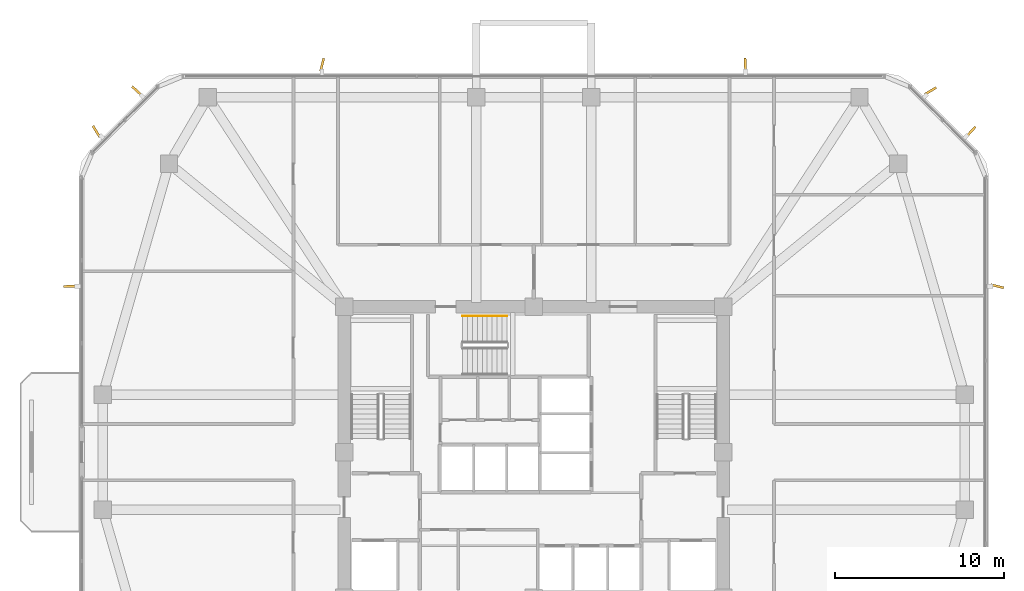
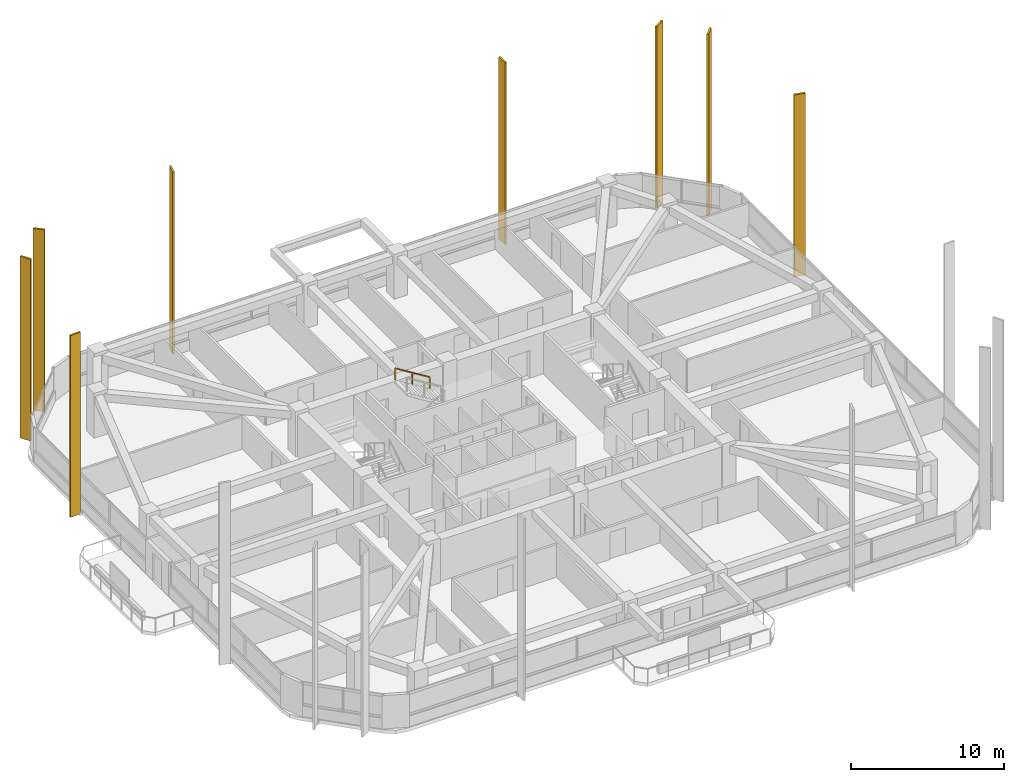
# One storey, part 15 of 15: 8 shading devices, 1 railing.
"""IFC4 building model written with IfcOpenShell, lengths in metres."""

from ifc_helpers import new_model, si_unit, derived_unit, direction, frame, origin, origin_2d, place, context, subcontext, project, spatial, rectangle, extrude, material, type_object, element, save


model = new_model("IFC4")

# Units and contexts
model_context = context("Model", 3, precision=1e-05, world=origin(), true_north=direction((0.0, 1.0)))
body_context = subcontext(model_context, "Body", "Model", "MODEL_VIEW")
ifc_project = project(units=[si_unit("LENGTHUNIT", "METRE"), si_unit("AREAUNIT", "SQUARE_METRE"), si_unit("VOLUMEUNIT", "CUBIC_METRE"), si_unit("PLANEANGLEUNIT", "RADIAN"), si_unit("MASSUNIT", "GRAM", prefix="KILO"), derived_unit("THERMALTRANSMITTANCEUNIT", [(si_unit("POWERUNIT", "WATT"), 1), (si_unit("LENGTHUNIT", "METRE"), -2), (si_unit("THERMODYNAMICTEMPERATUREUNIT", "KELVIN"), -1)])], contexts=[model_context])

# Site, building, storey
site_placement = place(None, origin())
site = spatial("IfcSite", under=ifc_project, at=site_placement, CompositionType="ELEMENT")
building_placement = place(site_placement, origin())
building = spatial("IfcBuilding", under=site, at=building_placement, Name="Koralith Skygarden Medical Center", CompositionType="ELEMENT")
storey_placement = place(building_placement, frame((0.0, 0.0, 84.780029296875)))
storey = spatial("IfcBuildingStorey", under=building, at=storey_placement, Name="L21", CompositionType="ELEMENT", Elevation=84.780029296875)

# Shading devices
ifc_material_1 = material(Name="Aluminium 6063-T6", Category="aluminium")
shading_device_type = type_object("IfcShadingDeviceType", Name="Limestone-Clad Solar Storm Fin 780", PredefinedType="USERDEFINED", material=ifc_material_1)
for number, where, z_axis, x_axis, name in (
    (1, (64.409912109375, 35.7099609375, -0.2001953125), (0.0, 0.0, 1.0), (0.971271504235, -0.237974084853, 0.0), "L21 E Harmonic Solar Storm Fin 2"),
    (2, (62.860107421875, 44.862060546875, -0.2001953125), (0.0, 0.0, 1.0), (0.675204077514, 0.737630973935, 0.0), "L21 NE Harmonic Solar Storm Fin 1"),
    (3, (60.4619140625, 47.260009765625, -0.2001953125), (0.0, 0.0, 1.0), (0.855065756164, 0.518519577871, 0.0), "L21 NE Harmonic Solar Storm Fin 2"),
    (4, (49.510009765625, 48.81005859375, -0.2001953125), (0.0, 0.0, 1.0), (-0.044142481788, 0.999025245578, 0.0), "L21 N Harmonic Solar Storm Fin 1"),
    (5, (24.489990234375, 48.81005859375, -0.2001953125), (0.0, 0.0, 1.0), (0.237974084853, 0.971271504235, 0.0), "L21 N Harmonic Solar Storm Fin 2"),
    (6, (13.5380859375, 47.260009765625, -0.2001953125), (0.0, 0.0, 1.0), (-0.737630973935, 0.675204077514, 0.0), "L21 NW Harmonic Solar Storm Fin 1"),
    (7, (11.139892578125, 44.862060546875, -0.2001953125), (0.0, 0.0, 1.0), (-0.518519577871, 0.855065756164, 0.0), "L21 NW Harmonic Solar Storm Fin 2"),
    (8, (9.590087890625, 35.7099609375, -0.2001953125), (0.0, 0.0, 1.0), (-0.999025245578, -0.044142481788, 0.0), "L21 W Harmonic Solar Storm Fin 1"),
):
    element("IfcShadingDevice", number, at=place(storey_placement, frame(where, z_axis=z_axis, x_axis=x_axis)), inside=storey, type_object=shading_device_type, Name=name, ObjectType="SOLAR FIN", PredefinedType="USERDEFINED", context=body_context, shape_type="SweptSolid", body=[
        extrude(rectangle(XDim=0.780029296875, YDim=0.139892578125, at=origin_2d()), origin(), (0.0, 0.0, 1.0), 14.550048828125),
    ])

# Railing
ifc_material_2 = material(Name="Steel ASTM A500 Grade C", Category="steel")
railing_type = type_object("IfcRailingType", Name="Stair Flight Tubular Handrail 920", PredefinedType="HANDRAIL", material=ifc_material_2)
railing_placement = place(storey_placement, frame((35.409912109375, 33.949951171875, 1.97998046875)))
element("IfcRailing", 9, at=railing_placement, inside=storey, type_object=railing_type, Name="L21 ST3 stair handrail 2", PredefinedType="HANDRAIL", context=body_context, shape_type="SweptSolid", body=[
    extrude(rectangle(XDim=0.050048828125, YDim=0.050048828125, at=origin_2d()), frame((-0.001708984375, 0.0, 0.89599609375), z_axis=(-0.849646306263, 0.0, 0.527352969322), x_axis=(0.0, -1.0, 0.0)), (0.0, 0.0, 1.0), 3.067626953125),
    extrude(rectangle(XDim=0.0419921875, YDim=0.0419921875, at=origin_2d()), origin(), (0.0, 0.0, 1.0), 0.867919921875),
    extrude(rectangle(XDim=0.0419921875, YDim=0.0419921875, at=origin_2d()), frame((-1.304931640625, 0.0, 0.81005859375)), (0.0, 0.0, 1.0), 0.867919921875),
    extrude(rectangle(XDim=0.0419921875, YDim=0.0419921875, at=origin_2d()), frame((-2.60986328125, 0.0, 1.619873046875)), (0.0, 0.0, 1.0), 0.867919921875),
])

save(model, "model.ifc")
